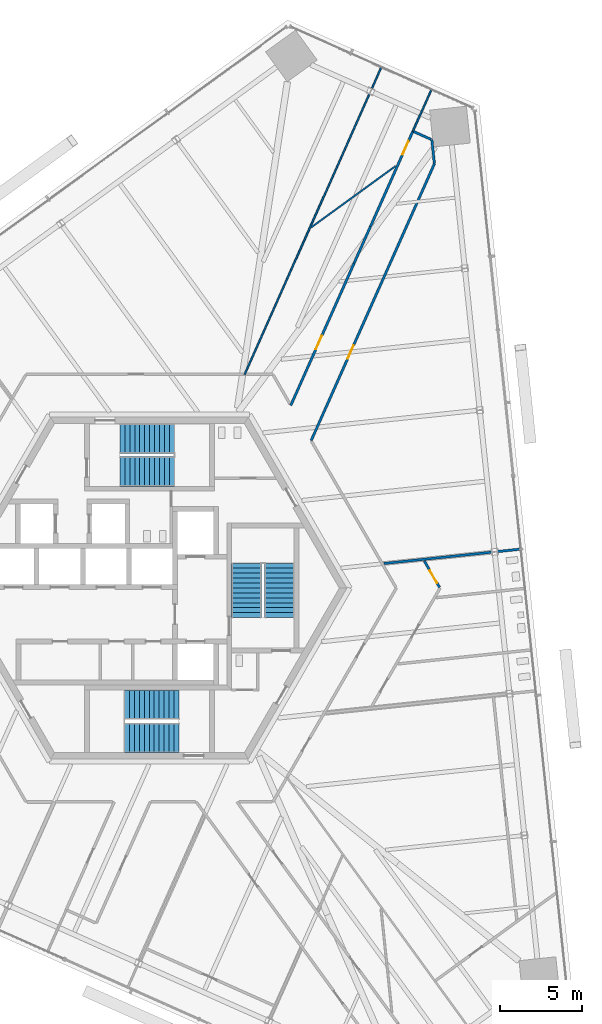
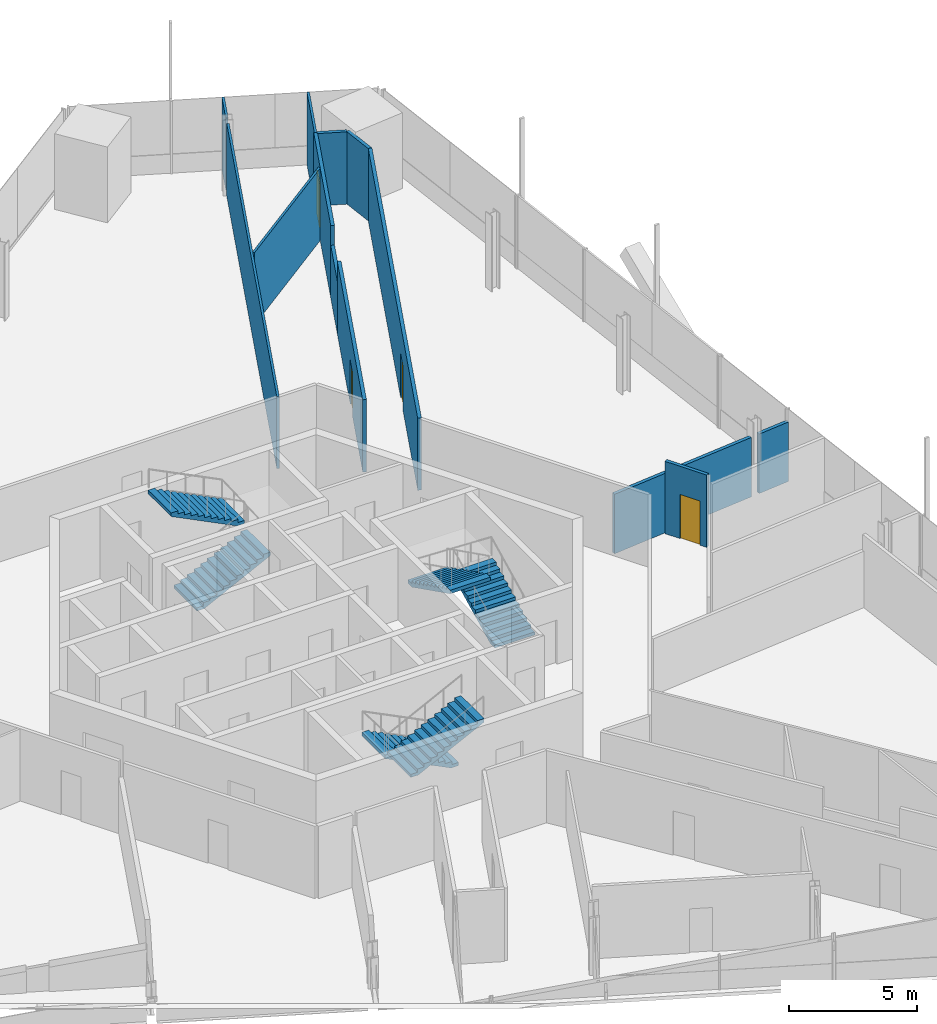
# One storey, part 14 of 21: 13 walls, 6 stair flights, 4 doors, 4 openings, 3 elements without a shape of their own.
"""IFC4 building model written with IfcOpenShell, lengths in metres."""

from ifc_helpers import new_model, si_unit, direction, frame, frame_2d, origin, place, context, subcontext, project, spatial, polyline, rectangle, outline, extrude, source, transform, mapped, material, layer, layer_set, type_object, element, fill, aggregate, save


model = new_model("IFC4")

# Units and contexts
model_context = context("Model", 3, precision=1e-05, world=origin(), true_north=direction((0.0, 1.0)))
body_context = subcontext(model_context, "Body", "Model", "MODEL_VIEW")
ifc_project = project(units=[si_unit("LENGTHUNIT", "METRE"), si_unit("AREAUNIT", "SQUARE_METRE"), si_unit("VOLUMEUNIT", "CUBIC_METRE"), si_unit("PLANEANGLEUNIT", "RADIAN"), si_unit("MASSUNIT", "GRAM", prefix="KILO")], contexts=[model_context])

# Site, building, storey
site_placement = place(None, origin())
site = spatial("IfcSite", under=ifc_project, at=site_placement, CompositionType="ELEMENT")
building_placement = place(site_placement, origin())
building = spatial("IfcBuilding", under=site, at=building_placement, Name="Triune Harvest Tower", CompositionType="ELEMENT")
storey_placement = place(building_placement, frame((0.0, 0.0, 80.10009765625)))
storey = spatial("IfcBuildingStorey", under=building, at=storey_placement, Name="L19", CompositionType="ELEMENT", Elevation=80.10009765625)

# Wall, opening, door
ifc_material_1 = material(Name="Gypsum board on steel studs", Category="steel")
ifc_layer_1 = layer(ifc_material_1, 0.14990234375)
ifc_layer_set_1 = layer_set([ifc_layer_1], Name="Gypsum board on steel studs")
wall_type_1 = type_object("IfcWallType", Name="Fire Partition 150 mm", PredefinedType="PARTITIONING", material=ifc_layer_set_1)
wall_1_placement = place(storey_placement, frame((16.69775390625, 1.6630859375, 0.0), z_axis=(0.0, 0.0, 1.0), x_axis=(0.500027503603, -0.86600952399, 0.0)))
wall_1 = element("IfcWall", 1, at=wall_1_placement, inside=storey, type_object=wall_type_1, Name="Partition L19 008", PredefinedType="PARTITIONING", context=body_context, shape_type="SweptSolid", body=[
    extrude(rectangle(XDim=1.87060546875, YDim=0.14990234375, at=frame_2d((0.935302734375, 0.0))), origin(), (0.0, 0.0, 1.0), 3.43994140625),
])
opening_1_placement = place(wall_1_placement, frame((0.67041015625, 0.0, 0.0)))
opening_1 = element("IfcOpeningElement", 2, at=opening_1_placement, cuts=wall_1, Name="Opening L19-007", PredefinedType="OPENING", context=body_context, shape_type="SweptSolid", body=[
    extrude(rectangle(XDim=0.89990234375, YDim=2.10009765625, at=frame_2d((0.449951171875, 1.050048828125))), frame((0.0, 0.0849609375, 0.0), z_axis=(0.0, -1.0, 0.0), x_axis=(1.0, 0.0, 0.0)), (0.0, 0.0, 1.0), 0.169921875),
])
ifc_material_2 = material(Name="Timber and steel door set", Category="steel")
door_type_1 = type_object("IfcDoorType", Name="Single leaf door FD30 right hand 900 x 2100", OperationType="SINGLE_SWING_RIGHT", PredefinedType="DOOR", material=ifc_material_2)
door_1_placement = place(opening_1_placement, origin())
door_1 = element("IfcDoor", 3, at=door_1_placement, inside=storey, type_object=door_type_1, Name="Door L19-007 Accessible WC 19.07", OperationType="SINGLE_SWING_RIGHT", OverallHeight=2.10009765625, OverallWidth=0.89990234375, PredefinedType="DOOR", context=body_context, shape_type="SweptSolid", body=[
    extrude(rectangle(XDim=0.89990234375, YDim=2.10009765625, at=frame_2d((0.449951171875, 1.050048828125))), frame((0.0, 0.02490234375, 0.0), z_axis=(0.0, -1.0, 0.0), x_axis=(1.0, 0.0, 0.0)), (0.0, 0.0, 1.0), 0.050048828125),
])
fill(opening_1, door_1)

# Walls
wall_2_placement = place(storey_placement, frame((14.243408203125, 1.4970703125, 0.0), z_axis=(0.0, 0.0, 1.0), x_axis=(0.994525347178, 0.10449561627, 0.0)))
element("IfcWall", 4, at=wall_2_placement, inside=storey, type_object=wall_type_1, Name="Partition L19 036", PredefinedType="PARTITIONING", context=body_context, shape_type="SweptSolid", body=[
    extrude(rectangle(XDim=6.583984375, YDim=0.14990234375, at=frame_2d((3.2919921875, 0.0))), origin(), (0.0, 0.0, 1.0), 2.82763671875),
])
wall_3_placement = place(storey_placement, frame((21.162841796875, 2.22412109375, 0.0), z_axis=(0.0, 0.0, 1.0), x_axis=(0.994527123793, 0.104478706151, 0.0)))
element("IfcWall", 5, at=wall_3_placement, inside=storey, type_object=wall_type_1, Name="Partition L19 037", PredefinedType="PARTITIONING", context=body_context, shape_type="SweptSolid", body=[
    extrude(rectangle(XDim=1.41845703125, YDim=0.14990234375, at=frame_2d((0.709228515625, 0.0))), origin(), (0.0, 0.0, 1.0), 2.82763671875),
])
ifc_material_3 = material(Name="Gypsum board on steel studs", Category="steel")
ifc_layer_2 = layer(ifc_material_3, 0.10009765625)
ifc_layer_set_2 = layer_set([ifc_layer_2], Name="Gypsum board on steel studs")
wall_type_2 = type_object("IfcWallType", Name="Partition 100 mm", PredefinedType="PARTITIONING", material=ifc_layer_set_2)
shared_shape_1 = source(origin(), body_context, "Body", "SweptSolid", [
    extrude(rectangle(XDim=1.418212890625, YDim=0.10009765625, at=frame_2d((0.708984375, 0.0))), origin(), (0.0, 0.0, 1.0), 3.43994140625),
])
wall_4_placement = place(storey_placement, frame((13.519287109375, 30.36474609375, 0.0), z_axis=(0.0, 0.0, 1.0), x_axis=(0.40676126154, 0.913534496399, 0.0)))
element("IfcWall", 6, at=wall_4_placement, inside=storey, type_object=wall_type_2, Name="Partition L19 060", PredefinedType="PARTITIONING", context=body_context, shape_type="MappedRepresentation", body=[
    mapped(shared_shape_1, transform((0.0, 0.0, 0.0), scale=1.0)),
])
shared_shape_2 = source(origin(), body_context, "Body", "SweptSolid", [
    extrude(rectangle(XDim=2.7802734375, YDim=0.10009765625, at=frame_2d((1.39013671875, 0.0))), origin(), (0.0, 0.0, 1.0), 3.43994140625),
])
wall_5_placement = place(storey_placement, frame((16.00830078125, 27.765625, 0.0), z_axis=(0.0, 0.0, 1.0), x_axis=(0.406757602103, 0.913536125794, 0.0)))
element("IfcWall", 7, at=wall_5_placement, inside=storey, type_object=wall_type_2, Name="Partition L19 056", PredefinedType="PARTITIONING", context=body_context, shape_type="MappedRepresentation", body=[
    mapped(shared_shape_2, transform((0.0, 0.0, 0.0), scale=1.0)),
])
shared_shape_3 = source(origin(), body_context, "Body", "SweptSolid", [
    extrude(rectangle(XDim=1.45263671875, YDim=0.14990234375, at=frame_2d((0.726318359375, 0.0))), origin(), (0.0, 0.0, 1.0), 3.43994140625),
])
wall_6_placement = place(storey_placement, frame((17.1630859375, 27.251708984375, 0.0), z_axis=(0.0, 0.0, 1.0), x_axis=(0.104544794855, -0.994520178714, 0.0)))
element("IfcWall", 8, at=wall_6_placement, inside=storey, type_object=wall_type_1, Name="Partition L19 002", PredefinedType="PARTITIONING", context=body_context, shape_type="MappedRepresentation", body=[
    mapped(shared_shape_3, transform((0.0, 0.0, 0.0), scale=1.0)),
])
shared_shape_4 = source(origin(), body_context, "Body", "SweptSolid", [
    extrude(rectangle(XDim=1.16357421875, YDim=0.14990234375, at=frame_2d((0.581787109375, 0.0))), origin(), (0.0, 0.0, 1.0), 3.43994140625),
])
wall_7_placement = place(storey_placement, frame((16.05419921875, 27.745361328125, 0.0), z_axis=(0.0, 0.0, 1.0), x_axis=(0.913508477473, -0.406819691736, 0.0)))
element("IfcWall", 9, at=wall_7_placement, inside=storey, type_object=wall_type_1, Name="Partition L19 025", PredefinedType="PARTITIONING", context=body_context, shape_type="MappedRepresentation", body=[
    mapped(shared_shape_4, transform((0.0, 0.0, 0.0), scale=1.0)),
])
shared_shape_5 = source(origin(), body_context, "Body", "SweptSolid", [
    extrude(rectangle(XDim=6.322265625, YDim=0.10009765625, at=frame_2d((3.1611328125, 0.0))), origin(), (0.0, 0.0, 1.0), 3.43994140625),
])
wall_8_placement = place(storey_placement, frame((9.841552734375, 21.93212890625, 0.0), z_axis=(0.0, 0.0, 1.0), x_axis=(0.809018205648, 0.587783585115, 0.0)))
element("IfcWall", 10, at=wall_8_placement, inside=storey, type_object=wall_type_2, Name="Partition L19 040", PredefinedType="PARTITIONING", context=body_context, shape_type="MappedRepresentation", body=[
    mapped(shared_shape_5, transform((0.0, 0.0, 0.0), scale=1.0)),
])

# Wall, opening, door
shared_shape_6 = source(origin(), body_context, "Body", "SweptSolid", [
    extrude(rectangle(XDim=18.415283203125, YDim=0.14990234375, at=frame_2d((9.20751953125, 0.0))), origin(), (0.0, 0.0, 1.0), 3.43994140625),
])
wall_9_placement = place(storey_placement, frame((9.826904296875, 8.964111328125, 0.0), z_axis=(0.0, 0.0, 1.0), x_axis=(0.406727589748, 0.91354948839, 0.0)))
wall_9 = element("IfcWall", 11, at=wall_9_placement, inside=storey, type_object=wall_type_1, Name="Partition L19 052", PredefinedType="PARTITIONING", context=body_context, shape_type="MappedRepresentation", body=[
    mapped(shared_shape_6, transform((0.0, 0.0, 0.0), scale=1.0)),
])
opening_2_placement = place(wall_9_placement, frame((5.444091796875, 0.0, 0.0)))
opening_2 = element("IfcOpeningElement", 12, at=opening_2_placement, cuts=wall_9, Name="Opening L19-009", PredefinedType="OPENING", context=body_context, shape_type="SweptSolid", body=[
    extrude(rectangle(XDim=0.89990234375, YDim=2.10009765625, at=frame_2d((0.449951171875, 1.050048828125))), frame((0.0, 0.0849609375, 0.0), z_axis=(0.0, -1.0, 0.0), x_axis=(1.0, 0.0, 0.0)), (0.0, 0.0, 1.0), 0.169921875),
])
door_2_placement = place(opening_2_placement, origin())
door_2 = element("IfcDoor", 13, at=door_2_placement, inside=storey, type_object=door_type_1, Name="Door L19-009 Open Office 19.09", OperationType="SINGLE_SWING_RIGHT", OverallHeight=2.10009765625, OverallWidth=0.89990234375, PredefinedType="DOOR", context=body_context, shape_type="SweptSolid", body=[
    extrude(rectangle(XDim=0.89990234375, YDim=2.10009765625, at=frame_2d((0.449951171875, 1.050048828125))), frame((0.0, 0.02490234375, 0.0), z_axis=(0.0, -1.0, 0.0), x_axis=(1.0, 0.0, 0.0)), (0.0, 0.0, 1.0), 0.050048828125),
])
fill(opening_2, door_2)

shared_shape_7 = source(origin(), body_context, "Body", "SweptSolid", [
    extrude(rectangle(XDim=9.461181640625, YDim=0.14990234375, at=frame_2d((4.73046875, 0.0))), origin(), (0.0, 0.0, 1.0), 3.43994140625),
])
wall_10_placement = place(storey_placement, frame((8.590576171875, 11.105224609375, 0.0), z_axis=(0.0, 0.0, 1.0), x_axis=(0.406727358166, 0.913549591494, 0.0)))
wall_10 = element("IfcWall", 14, at=wall_10_placement, inside=storey, type_object=wall_type_1, Name="Partition L19 055", PredefinedType="PARTITIONING", context=body_context, shape_type="MappedRepresentation", body=[
    mapped(shared_shape_7, transform((0.0, 0.0, 0.0), scale=1.0)),
])
opening_3_placement = place(wall_10_placement, frame((3.738525390625, 0.0, 0.0)))
opening_3 = element("IfcOpeningElement", 15, at=opening_3_placement, cuts=wall_10, Name="Opening L19-008", PredefinedType="OPENING", context=body_context, shape_type="SweptSolid", body=[
    extrude(rectangle(XDim=0.89990234375, YDim=2.10009765625, at=frame_2d((0.449951171875, 1.050048828125))), frame((0.0, 0.0849609375, 0.0), z_axis=(0.0, -1.0, 0.0), x_axis=(1.0, 0.0, 0.0)), (0.0, 0.0, 1.0), 0.169921875),
])
ifc_material_4 = material(Name="Timber and steel door set", Category="steel")
door_type_2 = type_object("IfcDoorType", Name="Single leaf door FD30 left hand 900 x 2100", OperationType="SINGLE_SWING_LEFT", PredefinedType="DOOR", material=ifc_material_4)
door_3_placement = place(opening_3_placement, origin())
door_3 = element("IfcDoor", 16, at=door_3_placement, inside=storey, type_object=door_type_2, Name="Door L19-008 Dry Store Room 19.08", OperationType="SINGLE_SWING_LEFT", OverallHeight=2.10009765625, OverallWidth=0.89990234375, PredefinedType="DOOR", context=body_context, shape_type="SweptSolid", body=[
    extrude(rectangle(XDim=0.89990234375, YDim=2.10009765625, at=frame_2d((0.449951171875, 1.050048828125))), frame((0.0, 0.02490234375, 0.0), z_axis=(0.0, -1.0, 0.0), x_axis=(1.0, 0.0, 0.0)), (0.0, 0.0, 1.0), 0.050048828125),
])
fill(opening_3, door_3)

# Wall
shared_shape_8 = source(origin(), body_context, "Body", "SweptSolid", [
    extrude(rectangle(XDim=2.440185546875, YDim=0.14990234375, at=frame_2d((1.22021484375, 0.0))), origin(), (0.0, 0.0, 1.0), 2.49755859375),
])
wall_11_placement = place(storey_placement, frame((12.438720703125, 19.74853515625, 0.0), z_axis=(0.0, 0.0, 1.0), x_axis=(0.406788148453, 0.913522524231, 0.0)))
element("IfcWall", 17, at=wall_11_placement, inside=storey, type_object=wall_type_1, Name="Partition L19 055a", PredefinedType="PARTITIONING", context=body_context, shape_type="MappedRepresentation", body=[
    mapped(shared_shape_8, transform((0.0, 0.0, 0.0), scale=1.0)),
])

# Wall, opening, door
shared_shape_9 = source(origin(), body_context, "Body", "SweptSolid", [
    extrude(rectangle(XDim=6.335693359375, YDim=0.14990234375, at=frame_2d((3.16796875, 0.0))), origin(), (0.0, 0.0, 1.0), 3.43994140625),
])
wall_12_placement = place(storey_placement, frame((13.431396484375, 21.977783203125, 0.0), z_axis=(0.0, 0.0, 1.0), x_axis=(0.406735471086, 0.913545979445, 0.0)))
wall_12 = element("IfcWall", 18, at=wall_12_placement, inside=storey, type_object=wall_type_1, Name="Partition L19 055b", PredefinedType="PARTITIONING", context=body_context, shape_type="MappedRepresentation", body=[
    mapped(shared_shape_9, transform((0.0, 0.0, 0.0), scale=1.0)),
])
opening_4_placement = place(wall_12_placement, frame((4.79541015625, 0.0, 0.0)))
opening_4 = element("IfcOpeningElement", 19, at=opening_4_placement, cuts=wall_12, Name="Opening L19-010", PredefinedType="OPENING", context=body_context, shape_type="SweptSolid", body=[
    extrude(rectangle(XDim=0.89990234375, YDim=2.10009765625, at=frame_2d((0.449951171875, 1.050048828125))), frame((0.0, 0.0849609375, 0.0), z_axis=(0.0, -1.0, 0.0), x_axis=(1.0, 0.0, 0.0)), (0.0, 0.0, 1.0), 0.169921875),
])
door_4_placement = place(opening_4_placement, origin())
door_4 = element("IfcDoor", 20, at=door_4_placement, inside=storey, type_object=door_type_1, Name="Door L19-010 Specimen Store 19.10", OperationType="SINGLE_SWING_RIGHT", OverallHeight=2.10009765625, OverallWidth=0.89990234375, PredefinedType="DOOR", context=body_context, shape_type="SweptSolid", body=[
    extrude(rectangle(XDim=0.89990234375, YDim=2.10009765625, at=frame_2d((0.449951171875, 1.050048828125))), frame((0.0, 0.02490234375, 0.0), z_axis=(0.0, -1.0, 0.0), x_axis=(1.0, 0.0, 0.0)), (0.0, 0.0, 1.0), 0.050048828125),
])
fill(opening_4, door_4)

# Wall
shared_shape_10 = source(origin(), body_context, "Body", "SweptSolid", [
    extrude(rectangle(XDim=18.642578125, YDim=0.10009765625, at=frame_2d((9.3212890625, 0.0))), origin(), (0.0, 0.0, 1.0), 3.43994140625),
])
wall_13_placement = place(storey_placement, frame((5.78466796875, 12.9921875, 0.0), z_axis=(0.0, 0.0, 1.0), x_axis=(0.406728906672, 0.913548902072, 0.0)))
element("IfcWall", 21, at=wall_13_placement, inside=storey, type_object=wall_type_2, Name="Partition L19 059", PredefinedType="PARTITIONING", context=body_context, shape_type="MappedRepresentation", body=[
    mapped(shared_shape_10, transform((0.0, 0.0, 0.0), scale=1.0)),
])

# Stair, stair flights
ifc_material_5 = material(Name="Concrete 40 MPa", Category="concrete")
stair_type = type_object("IfcStairType", Name="Exit stair 1800 half turn", PredefinedType="HALF_TURN_STAIR", material=ifc_material_5)
stair_1_placement = place(storey_placement, origin())
stair_1 = element("IfcStair", 22, at=stair_1_placement, inside=storey, type_object=stair_type, Name="Exit stair north", PredefinedType="HALF_TURN_STAIR")
ifc_material_6 = material(Name="Concrete 40 MPa", Category="concrete")
stair_flight_type = type_object("IfcStairFlightType", Name="Stair flight 1800", PredefinedType="STRAIGHT", material=ifc_material_6)
shared_shape_11 = source(origin(), body_context, "Body", "SweptSolid", [
    extrude(outline(polyline([(0.0, 0.0), (0.0, 0.14990234375), (0.300048828125, 0.14990234375), (0.300048828125, 0.300048828125), (0.60009765625, 0.300048828125), (0.60009765625, 0.449951171875), (0.89990234375, 0.449951171875), (0.89990234375, 0.60009765625), (1.199951171875, 0.60009765625), (1.199951171875, 0.75), (1.5, 0.75), (1.5, 0.89990234375), (1.800048828125, 0.89990234375), (1.800048828125, 1.050048828125), (2.10009765625, 1.050048828125), (2.10009765625, 1.199951171875), (2.39990234375, 1.199951171875), (2.39990234375, 1.35009765625), (2.699951171875, 1.35009765625), (2.699951171875, 1.5), (3.0, 1.5), (3.0, 1.64990234375), (3.300048828125, 1.64990234375), (3.300048828125, 1.800048828125), (3.300048828125, 1.482421875), (0.335205078125, 0.0), (0.0, 0.0)])), frame((0.0, 0.89990234375, 0.0), z_axis=(0.0, -1.0, 0.0), x_axis=(1.0, 0.0, 0.0)), (0.0, 0.0, 1.0), 1.800048828125),
])
stair_flight_1_placement = place(storey_placement, frame((-1.7900390625, 7.090087890625, 0.0), z_axis=(0.0, 0.0, 1.0), x_axis=(1.0, 0.0, 0.0)))
stair_flight_1 = element("IfcStairFlight", 23, at=stair_flight_1_placement, type_object=stair_flight_type, Name="ST-1 flight 1", NumberOfRisers=12, NumberOfTreads=11, PredefinedType="STRAIGHT", RiserHeight=0.15, TreadLength=0.3, context=body_context, shape_type="MappedRepresentation", body=[
    mapped(shared_shape_11, transform((0.0, 0.0, 0.0), scale=1.0)),
])
stair_flight_2_placement = place(storey_placement, frame((1.510009765625, 9.090087890625, 1.7998046875), z_axis=(0.0, 0.0, 1.0), x_axis=(-1.0, 0.0, 0.0)))
stair_flight_2 = element("IfcStairFlight", 24, at=stair_flight_2_placement, type_object=stair_flight_type, Name="ST-1 flight 2", NumberOfRisers=12, NumberOfTreads=11, PredefinedType="STRAIGHT", RiserHeight=0.15, TreadLength=0.3, context=body_context, shape_type="MappedRepresentation", body=[
    mapped(shared_shape_11, transform((0.0, 0.0, 0.0), scale=1.0)),
])
aggregate(stair_1, [stair_flight_1, stair_flight_2])

stair_2_placement = place(storey_placement, origin())
stair_2 = element("IfcStair", 25, at=stair_2_placement, inside=storey, type_object=stair_type, Name="Exit stair south", PredefinedType="HALF_TURN_STAIR")
stair_flight_3_placement = place(storey_placement, frame((1.7900390625, -7.090087890625, 0.0), z_axis=(0.0, 0.0, 1.0), x_axis=(-1.0, 0.0, 0.0)))
stair_flight_3 = element("IfcStairFlight", 26, at=stair_flight_3_placement, type_object=stair_flight_type, Name="ST-2 flight 1", NumberOfRisers=12, NumberOfTreads=11, PredefinedType="STRAIGHT", RiserHeight=0.15, TreadLength=0.3, context=body_context, shape_type="MappedRepresentation", body=[
    mapped(shared_shape_11, transform((0.0, 0.0, 0.0), scale=1.0)),
])
stair_flight_4_placement = place(storey_placement, frame((-1.510009765625, -9.090087890625, 1.7998046875), z_axis=(0.0, 0.0, 1.0), x_axis=(1.0, 0.0, 0.0)))
stair_flight_4 = element("IfcStairFlight", 27, at=stair_flight_4_placement, type_object=stair_flight_type, Name="ST-2 flight 2", NumberOfRisers=12, NumberOfTreads=11, PredefinedType="STRAIGHT", RiserHeight=0.15, TreadLength=0.3, context=body_context, shape_type="MappedRepresentation", body=[
    mapped(shared_shape_11, transform((0.0, 0.0, 0.0), scale=1.0)),
])
aggregate(stair_2, [stair_flight_3, stair_flight_4])

stair_3_placement = place(storey_placement, origin())
stair_3 = element("IfcStair", 28, at=stair_3_placement, inside=storey, type_object=stair_type, Name="Exit stair east", PredefinedType="HALF_TURN_STAIR")
stair_flight_5_placement = place(storey_placement, frame((7.89990234375, -1.7900390625, 0.0), z_axis=(0.0, 0.0, 1.0), x_axis=(0.0, 1.0, 0.0)))
stair_flight_5 = element("IfcStairFlight", 29, at=stair_flight_5_placement, type_object=stair_flight_type, Name="ST-3 flight 1", NumberOfRisers=12, NumberOfTreads=11, PredefinedType="STRAIGHT", RiserHeight=0.15, TreadLength=0.3, context=body_context, shape_type="MappedRepresentation", body=[
    mapped(shared_shape_11, transform((0.0, 0.0, 0.0), scale=1.0)),
])
stair_flight_6_placement = place(storey_placement, frame((5.89990234375, 1.510009765625, 1.7998046875), z_axis=(0.0, 0.0, 1.0), x_axis=(0.0, -1.0, 0.0)))
stair_flight_6 = element("IfcStairFlight", 30, at=stair_flight_6_placement, type_object=stair_flight_type, Name="ST-3 flight 2", NumberOfRisers=12, NumberOfTreads=11, PredefinedType="STRAIGHT", RiserHeight=0.15, TreadLength=0.3, context=body_context, shape_type="MappedRepresentation", body=[
    mapped(shared_shape_11, transform((0.0, 0.0, 0.0), scale=1.0)),
])
aggregate(stair_3, [stair_flight_5, stair_flight_6])

save(model, "model.ifc")
